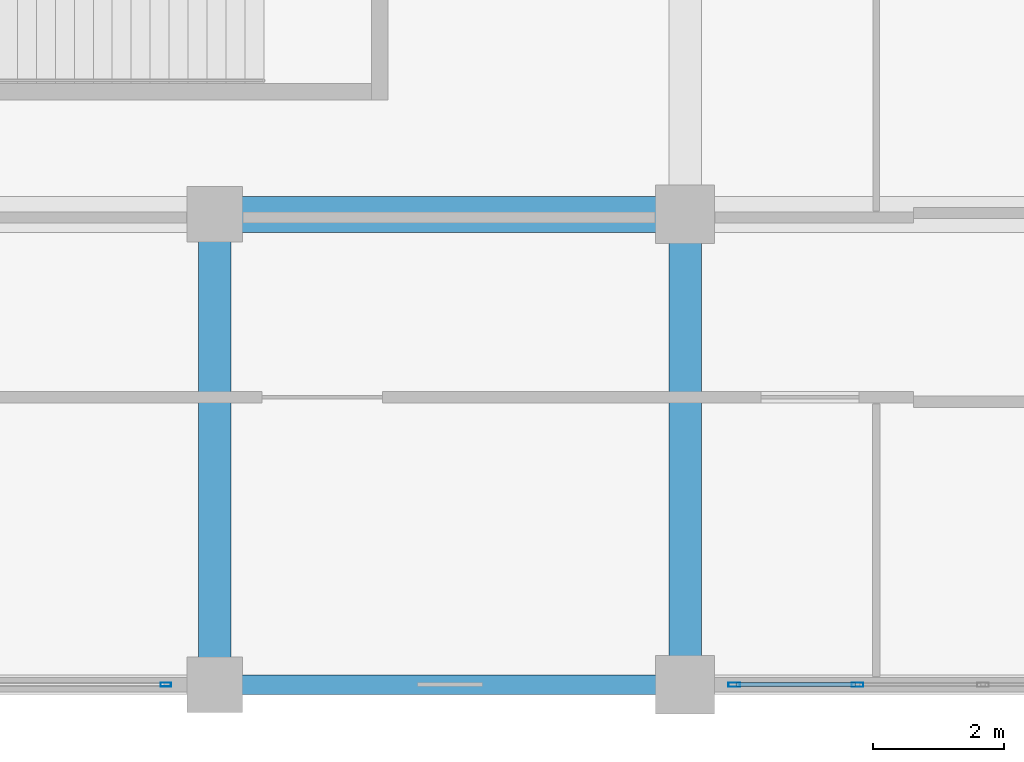
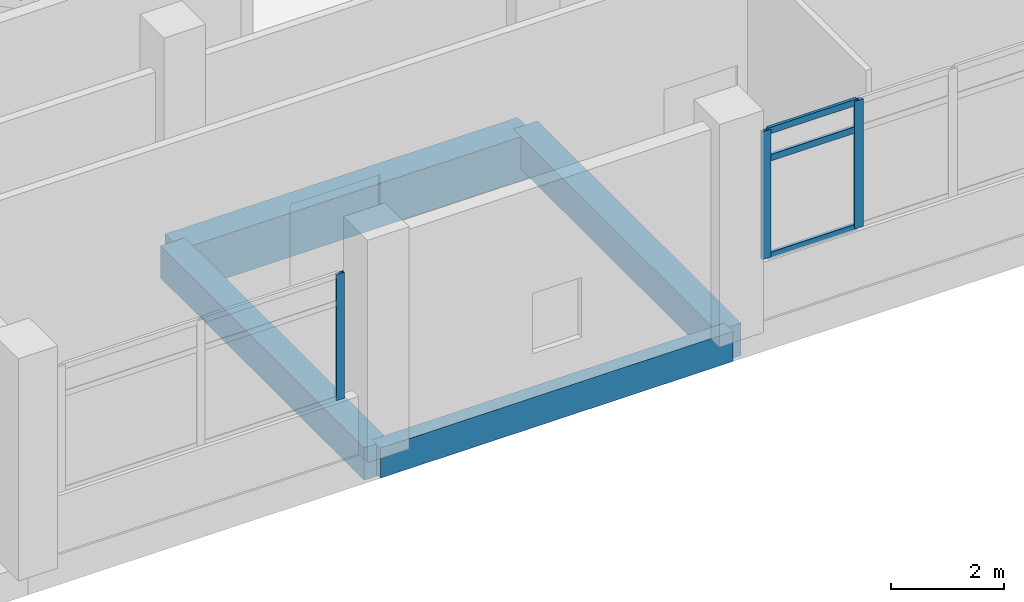
# One storey, part 8 of 181: 6 members, 4 beams, 2 elements without a shape of their own.
"""IFC4 building model written with IfcOpenShell, lengths in metres."""

from ifc_helpers import new_model, si_unit, direction, frame, origin, origin_2d, place, context, subcontext, project, spatial, rectangle, hollow_rectangle, extrude, material, layer, layer_set, material_profile, profile_set, type_object, element, aggregate, save


model = new_model("IFC4")

# Units and contexts
model_context = context("Model", 3, precision=1e-05, world=origin(), true_north=direction((0.0, 1.0)))
body_context = subcontext(model_context, "Body", "Model", "MODEL_VIEW")
ifc_project = project(units=[si_unit("LENGTHUNIT", "METRE"), si_unit("AREAUNIT", "SQUARE_METRE"), si_unit("VOLUMEUNIT", "CUBIC_METRE"), si_unit("PLANEANGLEUNIT", "RADIAN"), si_unit("MASSUNIT", "GRAM", prefix="KILO")], contexts=[model_context])

# Site, building, storey
site_placement = place(None, origin())
site = spatial("IfcSite", under=ifc_project, at=site_placement, CompositionType="ELEMENT")
building_placement = place(site_placement, origin())
building = spatial("IfcBuilding", under=site, at=building_placement, Name="Seraya Terrace Polytechnic", CompositionType="ELEMENT")
storey_placement = place(building_placement, frame((0.0, 0.0, 4.800048828125)))
storey = spatial("IfcBuildingStorey", under=building, at=storey_placement, Name="L01", CompositionType="ELEMENT", Elevation=4.800048828125)

# Beams
ifc_material_1 = material(Name="Concrete C40/50", Category="concrete")
ifc_material_profile_1 = material_profile(ifc_material_1, rectangle(XDim=0.550048828125, YDim=0.949951171875, at=origin_2d()), Name="RC 550x950")
ifc_profile_set_1 = profile_set([ifc_material_profile_1], Name="Concrete C40/50")
beam_type_1 = type_object("IfcBeamType", Name="BM-03", PredefinedType="BEAM", material=ifc_profile_set_1)
beam_1_placement = place(storey_placement, frame((50.39990234375, 7.199951171875, -0.47509765625), z_axis=(1.0, 0.0, 0.0), x_axis=(0.0, 1.0, 0.0)))
element("IfcBeam", 1, at=beam_1_placement, inside=storey, type_object=beam_type_1, Name="Beam BM-03 L01 X (50.4..57.6, 7.2)", PredefinedType="BEAM", context=body_context, shape_type="SweptSolid", body=[
    extrude(rectangle(XDim=0.550048828125, YDim=0.949951171875, at=origin_2d()), origin(), (0.0, 0.0, 1.0), 7.2001953125),
])
ifc_material_profile_2 = material_profile(ifc_material_1, rectangle(XDim=0.5, YDim=0.699951171875, at=origin_2d()), Name="RC 500x700")
ifc_profile_set_2 = profile_set([ifc_material_profile_2], Name="Concrete C40/50")
beam_type_2 = type_object("IfcBeamType", Name="BM-07", PredefinedType="BEAM", material=ifc_profile_set_2)
for number, where, z_axis, x_axis, name in (
    (2, (50.39990234375, 0.0, -0.35009765625), (0.0, 1.0, 0.0), (-1.0, 0.0, 0.0), "Beam BM-07 L01 Y (50.4, 0.0..7.2)"),
    (3, (57.60009765625, 0.0, -0.35009765625), (0.0, 1.0, 0.0), (-1.0, 0.0, 0.0), "Beam BM-07 L01 Y (57.6, 0.0..7.2)"),
):
    element("IfcBeam", number, at=place(storey_placement, frame(where, z_axis=z_axis, x_axis=x_axis)), inside=storey, type_object=beam_type_2, Name=name, PredefinedType="BEAM", context=body_context, shape_type="SweptSolid", body=[
        extrude(rectangle(XDim=0.5, YDim=0.699951171875, at=origin_2d()), origin(), (0.0, 0.0, 1.0), 7.199951171875),
    ])

# Curtain wall, members
ifc_material_2 = material(Name="Anodised aluminium EN AW-6063 T6", Category="aluminium")
ifc_layer_1 = layer(ifc_material_2, 0.179931640625, Name="CW-34")
ifc_layer_set_1 = layer_set([ifc_layer_1], Name="Anodised aluminium EN AW-6063 T6")
curtain_wall_type_1 = type_object("IfcCurtainWallType", Name="CW-34", PredefinedType="NOTDEFINED", material=ifc_layer_set_1)
curtain_wall_1_placement = place(storey_placement, origin())
curtain_wall_1 = element("IfcCurtainWall", 4, at=curtain_wall_1_placement, inside=storey, type_object=curtain_wall_type_1, Name="Unitised curtain wall CW-34 (CW-L01-034)", PredefinedType="NOTDEFINED")
ifc_material_profile_3 = material_profile(ifc_material_2, hollow_rectangle(XDim=0.06494140625, YDim=0.179931640625, WallThickness=0.00390625, at=origin_2d()), Name="RHS 180x65x4.0")
ifc_profile_set_3 = profile_set([ifc_material_profile_3], Name="Anodised aluminium EN AW-6063 T6")
member_type_1 = type_object("IfcMemberType", Name="CWM-01", PredefinedType="MULLION", material=ifc_profile_set_3)
member_1_placement = place(storey_placement, frame((60.239990234375, 0.0, 1.239990234375), z_axis=(0.0, 0.0, 1.0), x_axis=(0.0, -1.0, 0.0)))
member_1 = element("IfcMember", 5, at=member_1_placement, type_object=member_type_1, Name="CW-34 mullion 3", PredefinedType="MULLION", context=body_context, shape_type="SweptSolid", body=[
    extrude(hollow_rectangle(XDim=0.06494140625, YDim=0.179931640625, WallThickness=0.00390625, at=origin_2d()), origin(), (0.0, 0.0, 1.0), 2.760009765625),
])
member_2_placement = place(storey_placement, frame((58.3525390625, 0.0, 1.239990234375), z_axis=(0.0, 0.0, 1.0), x_axis=(0.0, -1.0, 0.0)))
member_2 = element("IfcMember", 6, at=member_2_placement, type_object=member_type_1, Name="CW-34 mullion 4", PredefinedType="MULLION", context=body_context, shape_type="SweptSolid", body=[
    extrude(hollow_rectangle(XDim=0.06494140625, YDim=0.179931640625, WallThickness=0.00390625, at=origin_2d()), origin(), (0.0, 0.0, 1.0), 2.760009765625),
])

# Curtain wall, member
ifc_layer_2 = layer(ifc_material_2, 0.179931640625, Name="CW-35")
ifc_layer_set_2 = layer_set([ifc_layer_2], Name="Anodised aluminium EN AW-6063 T6")
curtain_wall_type_2 = type_object("IfcCurtainWallType", Name="CW-35", PredefinedType="NOTDEFINED", material=ifc_layer_set_2)
curtain_wall_2_placement = place(storey_placement, origin())
curtain_wall_2 = element("IfcCurtainWall", 7, at=curtain_wall_2_placement, inside=storey, type_object=curtain_wall_type_2, Name="Unitised curtain wall CW-35 (CW-L01-035)", PredefinedType="NOTDEFINED")
ifc_material_profile_4 = material_profile(ifc_material_2, hollow_rectangle(XDim=0.06005859375, YDim=0.159912109375, WallThickness=0.00341796875, at=origin_2d()), Name="RHS 160x60x3.5")
ifc_profile_set_4 = profile_set([ifc_material_profile_4], Name="Anodised aluminium EN AW-6063 T6")
member_type_2 = type_object("IfcMemberType", Name="CWM-02", PredefinedType="MULLION", material=ifc_profile_set_4)
member_3_placement = place(storey_placement, frame((49.64990234375, 0.0, 1.239990234375), z_axis=(0.0, 0.0, 1.0), x_axis=(0.0, -1.0, 0.0)))
member_3 = element("IfcMember", 8, at=member_3_placement, type_object=member_type_2, Name="CW-35 mullion 1", PredefinedType="MULLION", context=body_context, shape_type="SweptSolid", body=[
    extrude(hollow_rectangle(XDim=0.06005859375, YDim=0.159912109375, WallThickness=0.00341796875, at=origin_2d()), origin(), (0.0, 0.0, 1.0), 2.719970703125),
])
aggregate(curtain_wall_2, [member_3])

# Member
ifc_material_profile_5 = material_profile(ifc_material_2, hollow_rectangle(XDim=0.06005859375, YDim=0.139892578125, WallThickness=0.00341796875, at=origin_2d()), Name="RHS 140x60x3.5")
ifc_profile_set_5 = profile_set([ifc_material_profile_5], Name="Anodised aluminium EN AW-6063 T6")
member_type_3 = type_object("IfcMemberType", Name="CWT-01", PredefinedType="USERDEFINED", material=ifc_profile_set_5)
member_4_placement = place(storey_placement, frame((60.20751953125, 0.0, 1.27001953125), z_axis=(-1.0, 0.0, 0.0), x_axis=(0.0, -1.0, 0.0)))
member_4 = element("IfcMember", 9, at=member_4_placement, type_object=member_type_3, Name="CW-34 transom 3.1", ObjectType="TRANSOM", PredefinedType="USERDEFINED", context=body_context, shape_type="SweptSolid", body=[
    extrude(hollow_rectangle(XDim=0.06005859375, YDim=0.139892578125, WallThickness=0.00341796875, at=origin_2d()), origin(), (0.0, 0.0, 1.0), 1.822509765625),
])

member_5_placement = place(storey_placement, frame((60.20751953125, 0.0, 3.3798828125), z_axis=(-1.0, 0.0, 0.0), x_axis=(0.0, -1.0, 0.0)))
member_5 = element("IfcMember", 10, at=member_5_placement, type_object=member_type_3, Name="CW-34 transom 3.2", ObjectType="TRANSOM", PredefinedType="USERDEFINED", context=body_context, shape_type="SweptSolid", body=[
    extrude(hollow_rectangle(XDim=0.06005859375, YDim=0.139892578125, WallThickness=0.00341796875, at=origin_2d()), origin(), (0.0, 0.0, 1.0), 1.822509765625),
])

member_6_placement = place(storey_placement, frame((60.20751953125, 0.0, 3.969970703125), z_axis=(-1.0, 0.0, 0.0), x_axis=(0.0, -1.0, 0.0)))
member_6 = element("IfcMember", 11, at=member_6_placement, type_object=member_type_3, Name="CW-34 transom 3.3", ObjectType="TRANSOM", PredefinedType="USERDEFINED", context=body_context, shape_type="SweptSolid", body=[
    extrude(hollow_rectangle(XDim=0.06005859375, YDim=0.139892578125, WallThickness=0.00341796875, at=origin_2d()), origin(), (0.0, 0.0, 1.0), 1.822509765625),
])

aggregate(curtain_wall_1, [member_1, member_2, member_4, member_5, member_6])

# Beam
ifc_material_profile_6 = material_profile(ifc_material_1, rectangle(XDim=0.300048828125, YDim=0.64990234375, at=origin_2d()), Name="RC 300x650")
ifc_profile_set_6 = profile_set([ifc_material_profile_6], Name="Concrete C40/50")
beam_type_3 = type_object("IfcBeamType", Name="SP-01", PredefinedType="SPANDREL", material=ifc_profile_set_6)
beam_2_placement = place(storey_placement, frame((50.39990234375, 0.0, -0.324951171875), z_axis=(1.0, 0.0, 0.0), x_axis=(0.0, 1.0, 0.0)))
element("IfcBeam", 12, at=beam_2_placement, inside=storey, type_object=beam_type_3, Name="Beam SP-01 L01 X (50.4..57.6, 0.0)", PredefinedType="SPANDREL", context=body_context, shape_type="SweptSolid", body=[
    extrude(rectangle(XDim=0.300048828125, YDim=0.64990234375, at=origin_2d()), origin(), (0.0, 0.0, 1.0), 7.2001953125),
])

save(model, "model.ifc")
